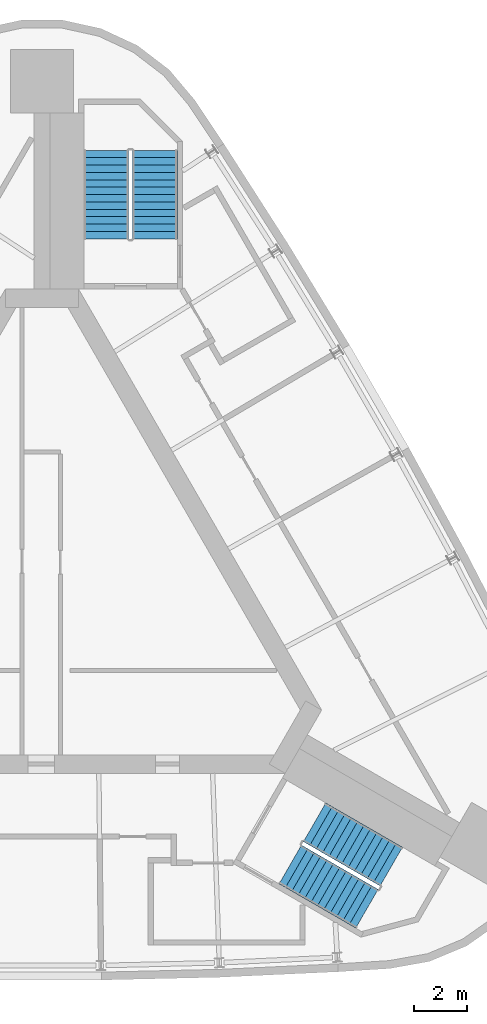
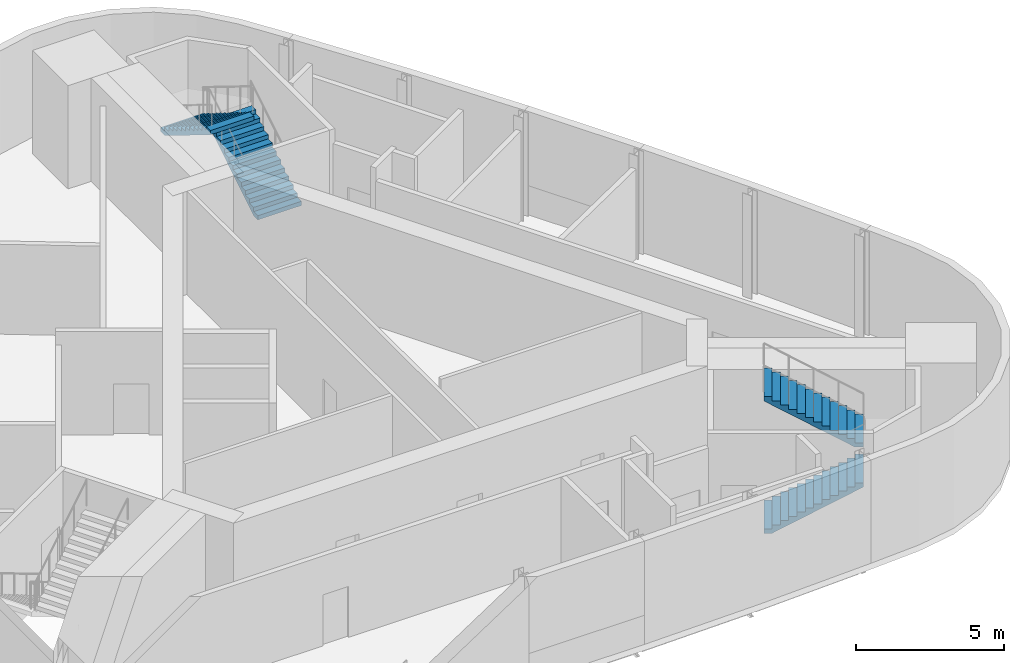
# One storey, part 6 of 7: 4 stair flights, 2 elements without a shape of their own.
"""IFC4 building model written with IfcOpenShell, lengths in metres."""

from ifc_helpers import new_model, si_unit, direction, frame, origin, place, context, subcontext, project, spatial, polyline, outline, extrude, material, type_object, element, aggregate, save


model = new_model("IFC4")

# Units and contexts
model_context = context("Model", 3, precision=1e-05, world=origin(), true_north=direction((0.0, 1.0)))
body_context = subcontext(model_context, "Body", "Model", "MODEL_VIEW")
ifc_project = project(units=[si_unit("LENGTHUNIT", "METRE"), si_unit("AREAUNIT", "SQUARE_METRE"), si_unit("VOLUMEUNIT", "CUBIC_METRE"), si_unit("PLANEANGLEUNIT", "RADIAN"), si_unit("MASSUNIT", "GRAM", prefix="KILO")], contexts=[model_context])

# Site, building, storey
site_placement = place(None, origin())
site = spatial("IfcSite", under=ifc_project, at=site_placement, CompositionType="ELEMENT")
building_placement = place(site_placement, origin())
building = spatial("IfcBuilding", under=site, at=building_placement, Name="Noor Cloister Tower", CompositionType="ELEMENT")
storey_placement = place(building_placement, frame((0.0, 0.0, 302.10009765625)))
storey = spatial("IfcBuildingStorey", under=building, at=storey_placement, Name="L76", CompositionType="ELEMENT", Elevation=302.10009765625)

# Stair, stair flights
ifc_material_1 = material(Name="Concrete C40/50", Category="concrete")
stair_type = type_object("IfcStairType", Name="Exit stair 26 risers", PredefinedType="HALF_TURN_STAIR", material=ifc_material_1)
stair_1_placement = place(storey_placement, origin())
stair_1 = element("IfcStair", 1, at=stair_1_placement, inside=storey, type_object=stair_type, Name="Exit stair ST1 L76", PredefinedType="HALF_TURN_STAIR")
ifc_material_2 = material(Name="Concrete C40/50", Category="concrete")
stair_flight_type = type_object("IfcStairFlightType", Name="Exit stair flight", PredefinedType="STRAIGHT", material=ifc_material_2)
stair_flight_1_placement = place(storey_placement, frame((4.28564453125, 13.3564453125, 0.0), z_axis=(0.0, 0.0, 1.0), x_axis=(0.0, 1.0, 0.0)))
stair_flight_1 = element("IfcStairFlight", 2, at=stair_flight_1_placement, type_object=stair_flight_type, Name="ST1 flight 1", NumberOfRisers=13, NumberOfTreads=12, PredefinedType="STRAIGHT", RiserHeight=0.173076923, TreadLength=0.28, context=body_context, shape_type="SweptSolid", body=[
    extrude(outline(polyline([(0.0, 0.0), (0.0, 0.173095703125), (0.280029296875, 0.173095703125), (0.280029296875, 0.34619140625), (0.56005859375, 0.34619140625), (0.56005859375, 0.519287109375), (0.840087890625, 0.519287109375), (0.840087890625, 0.6923828125), (1.1201171875, 0.6923828125), (1.1201171875, 0.865478515625), (1.39990234375, 0.865478515625), (1.39990234375, 1.03857421875), (1.679931640625, 1.03857421875), (1.679931640625, 1.21142578125), (1.9599609375, 1.21142578125), (1.9599609375, 1.384521484375), (2.239990234375, 1.384521484375), (2.239990234375, 1.5576171875), (2.52001953125, 1.5576171875), (2.52001953125, 1.730712890625), (2.800048828125, 1.730712890625), (2.800048828125, 1.90380859375), (3.080078125, 1.90380859375), (3.080078125, 2.076904296875), (3.360107421875, 2.076904296875), (3.360107421875, 2.25), (3.360107421875, 1.900634765625), (0.28515625, 0.0), (0.0, 0.0)])), frame((0.0, 0.85009765625, 0.0), z_axis=(0.0, -1.0, 0.0), x_axis=(1.0, 0.0, 0.0)), (0.0, 0.0, 1.0), 1.699951171875),
])
stair_flight_2_placement = place(storey_placement, frame((2.435546875, 16.71630859375, 2.25), z_axis=(0.0, 0.0, 1.0), x_axis=(0.0, -1.0, 0.0)))
stair_flight_2 = element("IfcStairFlight", 3, at=stair_flight_2_placement, type_object=stair_flight_type, Name="ST1 flight 2", NumberOfRisers=13, NumberOfTreads=12, PredefinedType="STRAIGHT", RiserHeight=0.173076923, TreadLength=0.28, context=body_context, shape_type="SweptSolid", body=[
    extrude(outline(polyline([(0.0, 0.0), (0.0, 0.173095703125), (0.280029296875, 0.173095703125), (0.280029296875, 0.34619140625), (0.56005859375, 0.34619140625), (0.56005859375, 0.519287109375), (0.840087890625, 0.519287109375), (0.840087890625, 0.6923828125), (1.1201171875, 0.6923828125), (1.1201171875, 0.865478515625), (1.39990234375, 0.865478515625), (1.39990234375, 1.03857421875), (1.679931640625, 1.03857421875), (1.679931640625, 1.21142578125), (1.9599609375, 1.21142578125), (1.9599609375, 1.384521484375), (2.239990234375, 1.384521484375), (2.239990234375, 1.5576171875), (2.52001953125, 1.5576171875), (2.52001953125, 1.730712890625), (2.800048828125, 1.730712890625), (2.800048828125, 1.90380859375), (3.080078125, 1.90380859375), (3.080078125, 2.076904296875), (3.360107421875, 2.076904296875), (3.360107421875, 2.25), (3.360107421875, 1.900634765625), (0.28515625, 0.0), (0.0, 0.0)])), frame((0.0, 0.85009765625, 0.0), z_axis=(0.0, -1.0, 0.0), x_axis=(1.0, 0.0, 0.0)), (0.0, 0.0, 1.0), 1.699951171875),
])
aggregate(stair_1, [stair_flight_1, stair_flight_2])

stair_2_placement = place(storey_placement, origin())
stair_2 = element("IfcStair", 4, at=stair_2_placement, inside=storey, type_object=stair_type, Name="Exit stair ST3 L76", PredefinedType="HALF_TURN_STAIR")
stair_flight_3_placement = place(storey_placement, frame((9.424072265625, -10.3896484375, 0.0), z_axis=(0.0, 0.0, 1.0), x_axis=(0.866025403784, -0.5, 0.0)))
stair_flight_3 = element("IfcStairFlight", 5, at=stair_flight_3_placement, type_object=stair_flight_type, Name="ST3 flight 1", NumberOfRisers=13, NumberOfTreads=12, PredefinedType="STRAIGHT", RiserHeight=0.173076923, TreadLength=0.28, context=body_context, shape_type="SweptSolid", body=[
    extrude(outline(polyline([(0.0, 0.0), (0.0, 0.173095703125), (0.280029296875, 0.173095703125), (0.280029296875, 0.34619140625), (0.56005859375, 0.34619140625), (0.56005859375, 0.519287109375), (0.840087890625, 0.519287109375), (0.840087890625, 0.6923828125), (1.1201171875, 0.6923828125), (1.1201171875, 0.865478515625), (1.39990234375, 0.865478515625), (1.39990234375, 1.03857421875), (1.679931640625, 1.03857421875), (1.679931640625, 1.21142578125), (1.9599609375, 1.21142578125), (1.9599609375, 1.384521484375), (2.239990234375, 1.384521484375), (2.239990234375, 1.5576171875), (2.52001953125, 1.5576171875), (2.52001953125, 1.730712890625), (2.800048828125, 1.730712890625), (2.800048828125, 1.90380859375), (3.080078125, 1.90380859375), (3.080078125, 2.076904296875), (3.360107421875, 2.076904296875), (3.360107421875, 2.25), (3.360107421875, 1.900634765625), (0.28515625, 0.0), (0.0, 0.0)])), frame((0.0, 0.85009765625, 0.0), z_axis=(0.0, -1.0, 0.0), x_axis=(1.0, 0.0, 0.0)), (0.0, 0.0, 1.0), 1.699951171875),
])
stair_flight_4_placement = place(storey_placement, frame((13.259033203125, -10.467529296875, 2.25), z_axis=(0.0, 0.0, 1.0), x_axis=(-0.866025403784, 0.5, 0.0)))
stair_flight_4 = element("IfcStairFlight", 6, at=stair_flight_4_placement, type_object=stair_flight_type, Name="ST3 flight 2", NumberOfRisers=13, NumberOfTreads=12, PredefinedType="STRAIGHT", RiserHeight=0.173076923, TreadLength=0.28, context=body_context, shape_type="SweptSolid", body=[
    extrude(outline(polyline([(0.0, 0.0), (0.0, 0.173095703125), (0.280029296875, 0.173095703125), (0.280029296875, 0.34619140625), (0.56005859375, 0.34619140625), (0.56005859375, 0.519287109375), (0.840087890625, 0.519287109375), (0.840087890625, 0.6923828125), (1.1201171875, 0.6923828125), (1.1201171875, 0.865478515625), (1.39990234375, 0.865478515625), (1.39990234375, 1.03857421875), (1.679931640625, 1.03857421875), (1.679931640625, 1.21142578125), (1.9599609375, 1.21142578125), (1.9599609375, 1.384521484375), (2.239990234375, 1.384521484375), (2.239990234375, 1.5576171875), (2.52001953125, 1.5576171875), (2.52001953125, 1.730712890625), (2.800048828125, 1.730712890625), (2.800048828125, 1.90380859375), (3.080078125, 1.90380859375), (3.080078125, 2.076904296875), (3.360107421875, 2.076904296875), (3.360107421875, 2.25), (3.360107421875, 1.900634765625), (0.28515625, 0.0), (0.0, 0.0)])), frame((0.0, 0.85009765625, 0.0), z_axis=(0.0, -1.0, 0.0), x_axis=(1.0, 0.0, 0.0)), (0.0, 0.0, 1.0), 1.699951171875),
])
aggregate(stair_2, [stair_flight_3, stair_flight_4])

save(model, "model.ifc")
